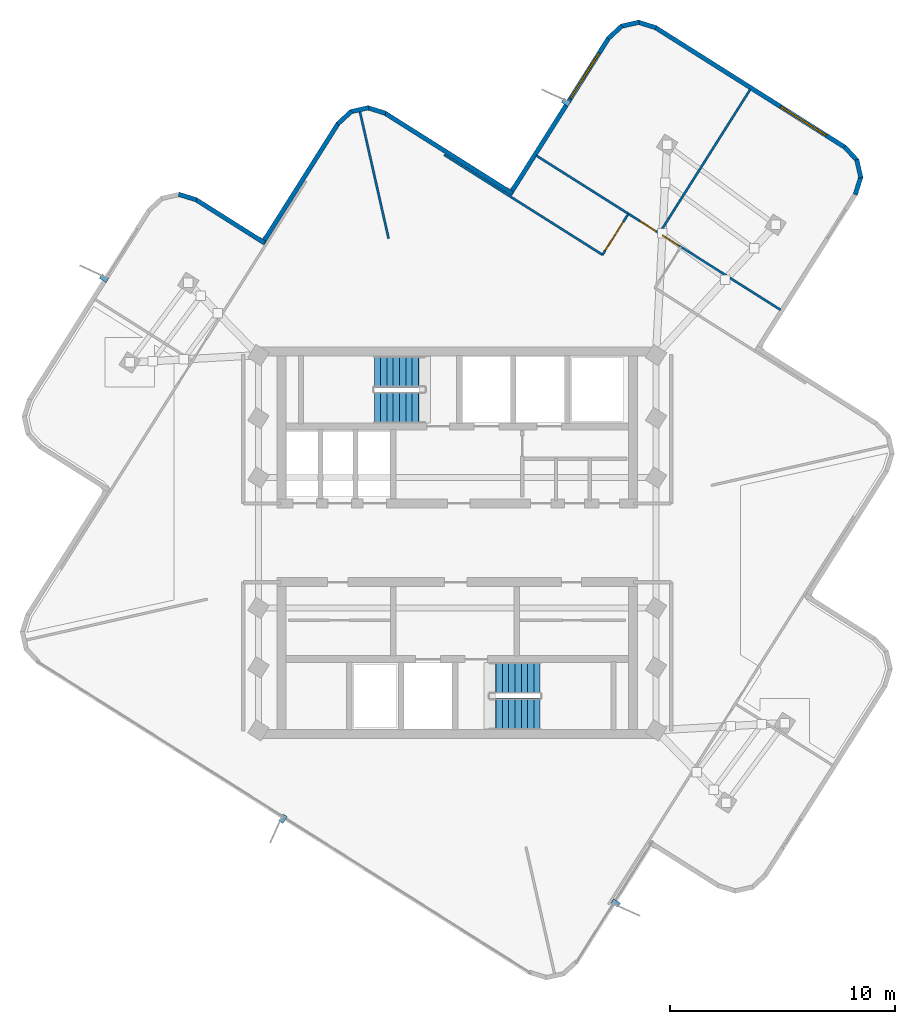
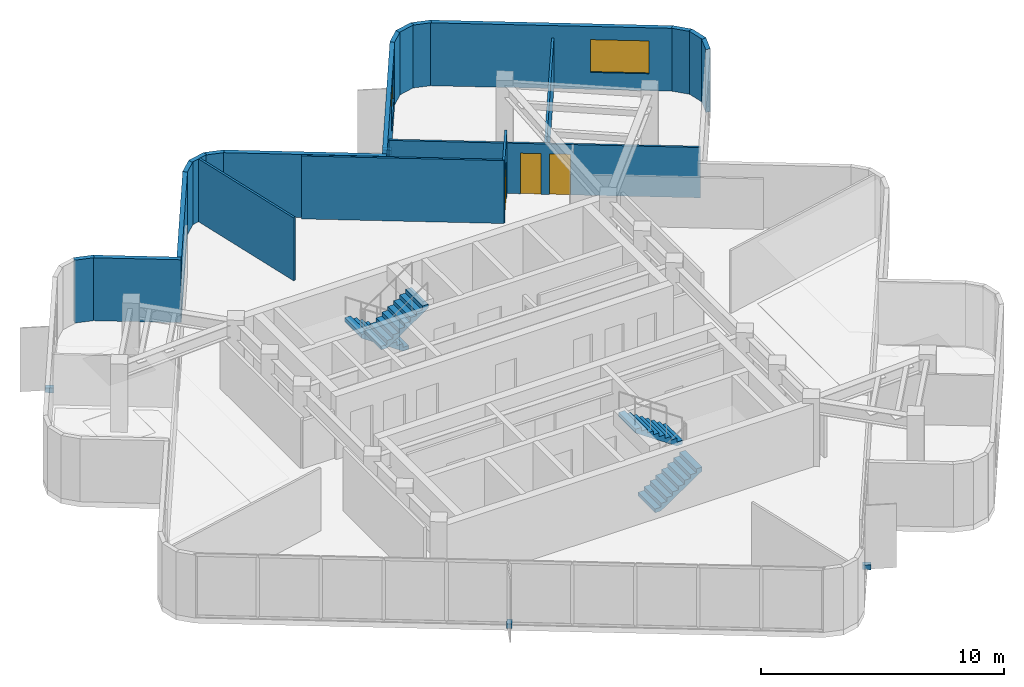
# One storey, part 6 of 8: 20 walls, 4 discrete accessories, 4 stair flights, 3 doors, 2 windows, 5 openings, 2 elements without a shape of their own.
"""IFC4 building model written with IfcOpenShell, lengths in metres."""

from ifc_helpers import new_model, si_unit, direction, frame, frame_2d, origin, origin_2d, place, context, subcontext, project, spatial, polyline, rectangle, outline, extrude, material, layer, layer_set, type_object, element, fill, aggregate, save


model = new_model("IFC4")

# Units and contexts
model_context = context("Model", 3, precision=1e-05, world=origin(), true_north=direction((0.0, 1.0)))
body_context = subcontext(model_context, "Body", "Model", "MODEL_VIEW")
ifc_project = project(units=[si_unit("LENGTHUNIT", "METRE"), si_unit("AREAUNIT", "SQUARE_METRE"), si_unit("VOLUMEUNIT", "CUBIC_METRE"), si_unit("PLANEANGLEUNIT", "RADIAN"), si_unit("MASSUNIT", "GRAM", prefix="KILO")], contexts=[model_context])

# Site, building, storey
site_placement = place(None, origin())
site = spatial("IfcSite", under=ifc_project, at=site_placement, CompositionType="ELEMENT")
building_placement = place(site_placement, origin())
building = spatial("IfcBuilding", under=site, at=building_placement, Name="Solmarez Civic Tower", CompositionType="ELEMENT")
storey_placement = place(building_placement, frame((0.0, 0.0, 271.43994140625)))
storey = spatial("IfcBuildingStorey", under=building, at=storey_placement, Name="L73", CompositionType="ELEMENT", Elevation=271.43994140625)

# Walls
ifc_material_1 = material(Name="Precast concrete C40/50", Category="concrete")
ifc_layer_1 = layer(ifc_material_1, 0.199951171875)
ifc_layer_set_1 = layer_set([ifc_layer_1], Name="Precast concrete C40/50")
wall_type_1 = type_object("IfcWallType", Name="WALL-EXT-200", PredefinedType="SOLIDWALL", material=ifc_layer_set_1)
wall_1_placement = place(storey_placement, frame((-12.405029296875, 15.511962890625, 0.0), z_axis=(0.0, 0.0, 1.0), x_axis=(0.95514660916, -0.296133339917, 0.0)))
element("IfcWall", 1, at=wall_1_placement, inside=storey, type_object=wall_type_1, Name="L73 Exterior Precast Wall 20", PredefinedType="SOLIDWALL", context=body_context, shape_type="SweptSolid", body=[
    extrude(rectangle(XDim=0.837646484375, YDim=0.199951171875, at=frame_2d((0.4189453125, 0.0))), origin(), (0.0, 0.0, 1.0), 3.16015625),
])
wall_2_placement = place(storey_placement, frame((-11.64990234375, 15.283935546875, 0.0), z_axis=(0.0, 0.0, 1.0), x_axis=(0.84553031048, -0.533927423962, 0.0)))
element("IfcWall", 2, at=wall_2_placement, inside=storey, type_object=wall_type_1, Name="L73 Exterior Precast Wall 21", PredefinedType="SOLIDWALL", context=body_context, shape_type="SweptSolid", body=[
    extrude(rectangle(XDim=3.642578125, YDim=0.199951171875, at=frame_2d((1.8212890625, 0.0))), origin(), (0.0, 0.0, 1.0), 3.16015625),
])
wall_3_placement = place(storey_placement, frame((-8.680908203125, 13.31396484375, 0.0), z_axis=(0.0, 0.0, 1.0), x_axis=(0.533927810135, 0.845530066623, 0.0)))
element("IfcWall", 3, at=wall_3_placement, inside=storey, type_object=wall_type_1, Name="L73 Exterior Precast Wall 24", PredefinedType="SOLIDWALL", context=body_context, shape_type="SweptSolid", body=[
    extrude(rectangle(XDim=6.341552734375, YDim=0.199951171875, at=frame_2d((3.1708984375, 0.0))), origin(), (0.0, 0.0, 1.0), 3.16015625),
])
wall_4_placement = place(storey_placement, frame((-5.325927734375, 18.637939453125, 0.0), z_axis=(0.0, 0.0, 1.0), x_axis=(0.734546260064, 0.678558613405, 0.0)))
element("IfcWall", 4, at=wall_4_placement, inside=storey, type_object=wall_type_1, Name="L73 Exterior Precast Wall 25", PredefinedType="SOLIDWALL", context=body_context, shape_type="SweptSolid", body=[
    extrude(rectangle(XDim=0.837158203125, YDim=0.199951171875, at=frame_2d((0.41845703125, 0.0))), origin(), (0.0, 0.0, 1.0), 3.16015625),
])
wall_5_placement = place(storey_placement, frame((-4.7529296875, 19.18310546875, 0.0), z_axis=(0.0, 0.0, 1.0), x_axis=(0.975095027757, 0.22178748126, 0.0)))
element("IfcWall", 5, at=wall_5_placement, inside=storey, type_object=wall_type_1, Name="L73 Exterior Precast Wall 26", PredefinedType="SOLIDWALL", context=body_context, shape_type="SweptSolid", body=[
    extrude(rectangle(XDim=0.824462890625, YDim=0.199951171875, at=frame_2d((0.412109375, 0.0))), origin(), (0.0, 0.0, 1.0), 3.16015625),
])
wall_6_placement = place(storey_placement, frame((-3.9970703125, 19.366943359375, 0.0), z_axis=(0.0, 0.0, 1.0), x_axis=(0.955248680357, -0.295803919306, 0.0)))
element("IfcWall", 6, at=wall_6_placement, inside=storey, type_object=wall_type_1, Name="L73 Exterior Precast Wall 27", PredefinedType="SOLIDWALL", context=body_context, shape_type="SweptSolid", body=[
    extrude(rectangle(XDim=0.838623046875, YDim=0.199951171875, at=frame_2d((0.41943359375, 0.0))), origin(), (0.0, 0.0, 1.0), 3.16015625),
])
wall_7_placement = place(storey_placement, frame((-3.240966796875, 19.138916015625, 0.0), z_axis=(0.0, 0.0, 1.0), x_axis=(0.845431246435, -0.534084270085, 0.0)))
element("IfcWall", 7, at=wall_7_placement, inside=storey, type_object=wall_type_1, Name="L73 Exterior Precast Wall 28", PredefinedType="SOLIDWALL", context=body_context, shape_type="SweptSolid", body=[
    extrude(rectangle(XDim=6.741943359375, YDim=0.199951171875, at=frame_2d((3.37109375, 0.0))), origin(), (0.0, 0.0, 1.0), 3.16015625),
])

# Wall, opening, window
wall_8_placement = place(storey_placement, frame((2.347900390625, 15.512939453125, 0.0), z_axis=(0.0, 0.0, 1.0), x_axis=(0.533962901644, 0.845507906331, 0.0)))
wall_8 = element("IfcWall", 8, at=wall_8_placement, inside=storey, type_object=wall_type_1, Name="L73 Exterior Precast Wall 31", PredefinedType="SOLIDWALL", context=body_context, shape_type="SweptSolid", body=[
    extrude(rectangle(XDim=8.242431640625, YDim=0.199951171875, at=frame_2d((4.12109375, 0.0))), origin(), (0.0, 0.0, 1.0), 3.16015625),
])
opening_1_placement = place(wall_8_placement, frame((5.0419921875, 0.0, 0.85009765625)))
opening_1 = element("IfcOpeningElement", 9, at=opening_1_placement, cuts=wall_8, Name="Opening W-06", PredefinedType="OPENING", context=body_context, shape_type="SweptSolid", body=[
    extrude(rectangle(XDim=2.39990234375, YDim=1.85009765625, at=frame_2d((1.199951171875, 0.925048828125))), frame((0.0, 0.10986328125, 0.0), z_axis=(0.0, -1.0, 0.0), x_axis=(1.0, 0.0, 0.0)), (0.0, 0.0, 1.0), 0.219970703125),
])
ifc_material_2 = material(Name="Solar Control Bronze-Tinted Insulating Glass", Category="glass")
window_type_1 = type_object("IfcWindowType", Name="WIN-2400X1850", PartitioningType="SINGLE_PANEL", PredefinedType="WINDOW", material=ifc_material_2)
window_1_placement = place(opening_1_placement, origin())
window_1 = element("IfcWindow", 10, at=window_1_placement, inside=storey, type_object=window_type_1, Name="L73 Exterior Facade Window 31", OverallHeight=1.85009765625, OverallWidth=2.39990234375, PartitioningType="SINGLE_PANEL", PredefinedType="WINDOW", context=body_context, shape_type="SweptSolid", body=[
    extrude(rectangle(XDim=2.39990234375, YDim=1.85009765625, at=frame_2d((1.199951171875, 0.925048828125))), frame((0.0, 0.030029296875, 0.0), z_axis=(0.0, -1.0, 0.0), x_axis=(1.0, 0.0, 0.0)), (0.0, 0.0, 1.0), 0.06005859375),
])
fill(opening_1, window_1)

# Walls
wall_9_placement = place(storey_placement, frame((6.718017578125, 22.444091796875, 0.0), z_axis=(0.0, 0.0, 1.0), x_axis=(0.7346916161, 0.67840123027, 0.0)))
element("IfcWall", 11, at=wall_9_placement, inside=storey, type_object=wall_type_1, Name="L73 Exterior Precast Wall 32", PredefinedType="SOLIDWALL", context=body_context, shape_type="SweptSolid", body=[
    extrude(rectangle(XDim=0.837158203125, YDim=0.199951171875, at=frame_2d((0.41845703125, 0.0))), origin(), (0.0, 0.0, 1.0), 3.16015625),
])
wall_10_placement = place(storey_placement, frame((7.291015625, 22.989013671875, 0.0), z_axis=(0.0, 0.0, 1.0), x_axis=(0.975030953114, 0.222068999343, 0.0)))
element("IfcWall", 12, at=wall_10_placement, inside=storey, type_object=wall_type_1, Name="L73 Exterior Precast Wall 33", PredefinedType="SOLIDWALL", context=body_context, shape_type="SweptSolid", body=[
    extrude(rectangle(XDim=0.824462890625, YDim=0.199951171875, at=frame_2d((0.412109375, 0.0))), origin(), (0.0, 0.0, 1.0), 3.16015625),
])
wall_11_placement = place(storey_placement, frame((8.047119140625, 23.173095703125, 0.0), z_axis=(0.0, 0.0, 1.0), x_axis=(0.955223194498, -0.295886209027, 0.0)))
element("IfcWall", 13, at=wall_11_placement, inside=storey, type_object=wall_type_1, Name="L73 Exterior Precast Wall 34", PredefinedType="SOLIDWALL", context=body_context, shape_type="SweptSolid", body=[
    extrude(rectangle(XDim=0.83837890625, YDim=0.199951171875, at=frame_2d((0.419189453125, 0.0))), origin(), (0.0, 0.0, 1.0), 3.16015625),
])

# Wall, opening, window
wall_12_placement = place(storey_placement, frame((8.802978515625, 22.945068359375, 0.0), z_axis=(0.0, 0.0, 1.0), x_axis=(0.845446069837, -0.534060804588, 0.0)))
wall_12 = element("IfcWall", 14, at=wall_12_placement, inside=storey, type_object=wall_type_1, Name="L73 Exterior Precast Wall 35", PredefinedType="SOLIDWALL", context=body_context, shape_type="SweptSolid", body=[
    extrude(rectangle(XDim=10.023193359375, YDim=0.199951171875, at=frame_2d((5.01171875, 0.0))), origin(), (0.0, 0.0, 1.0), 3.16015625),
])
opening_2_placement = place(wall_12_placement, frame((6.617919921875, 0.0, 0.85009765625)))
opening_2 = element("IfcOpeningElement", 15, at=opening_2_placement, cuts=wall_12, Name="Opening W-10", PredefinedType="OPENING", context=body_context, shape_type="SweptSolid", body=[
    extrude(rectangle(XDim=2.39990234375, YDim=1.64990234375, at=frame_2d((1.199951171875, 0.824951171875))), frame((0.0, 0.10986328125, 0.0), z_axis=(0.0, -1.0, 0.0), x_axis=(1.0, 0.0, 0.0)), (0.0, 0.0, 1.0), 0.219970703125),
])
window_type_2 = type_object("IfcWindowType", Name="WIN-2400X1650", PartitioningType="SINGLE_PANEL", PredefinedType="WINDOW", material=ifc_material_2)
window_2_placement = place(opening_2_placement, origin())
window_2 = element("IfcWindow", 16, at=window_2_placement, inside=storey, type_object=window_type_2, Name="L73 Exterior Facade Window 35", OverallHeight=1.64990234375, OverallWidth=2.39990234375, PartitioningType="SINGLE_PANEL", PredefinedType="WINDOW", context=body_context, shape_type="SweptSolid", body=[
    extrude(rectangle(XDim=2.39990234375, YDim=1.64990234375, at=frame_2d((1.199951171875, 0.824951171875))), frame((0.0, 0.030029296875, 0.0), z_axis=(0.0, -1.0, 0.0), x_axis=(1.0, 0.0, 0.0)), (0.0, 0.0, 1.0), 0.06005859375),
])
fill(opening_2, window_2)

# Walls
wall_13_placement = place(storey_placement, frame((17.239013671875, 17.623046875, 0.0), z_axis=(0.0, 0.0, 1.0), x_axis=(0.679187212508, -0.73396507435, 0.0)))
element("IfcWall", 17, at=wall_13_placement, inside=storey, type_object=wall_type_1, Name="L73 Exterior Precast Wall 36", PredefinedType="SOLIDWALL", context=body_context, shape_type="SweptSolid", body=[
    extrude(rectangle(XDim=0.837890625, YDim=0.199951171875, at=frame_2d((0.4189453125, 0.0))), origin(), (0.0, 0.0, 1.0), 3.16015625),
])
wall_14_placement = place(storey_placement, frame((17.785888671875, 17.050048828125, 0.0), z_axis=(0.0, 0.0, 1.0), x_axis=(0.21868713362, -0.975795028471, 0.0)))
element("IfcWall", 18, at=wall_14_placement, inside=storey, type_object=wall_type_1, Name="L73 Exterior Precast Wall 37", PredefinedType="SOLIDWALL", context=body_context, shape_type="SweptSolid", body=[
    extrude(rectangle(XDim=0.823974609375, YDim=0.199951171875, at=frame_2d((0.412109375, 0.0))), origin(), (0.0, 0.0, 1.0), 3.16015625),
])
wall_15_placement = place(storey_placement, frame((17.968017578125, 16.2939453125, 0.0), z_axis=(0.0, 0.0, 1.0), x_axis=(-0.296133339917, -0.95514660916, 0.0)))
element("IfcWall", 19, at=wall_15_placement, inside=storey, type_object=wall_type_1, Name="L73 Exterior Precast Wall 38", PredefinedType="SOLIDWALL", context=body_context, shape_type="SweptSolid", body=[
    extrude(rectangle(XDim=0.837646484375, YDim=0.199951171875, at=frame_2d((0.4189453125, 0.0))), origin(), (0.0, 0.0, 1.0), 3.16015625),
])
ifc_material_3 = material(Name="Gypsum Board Acoustic Steel-Stud Partition", Category="steel")
ifc_layer_2 = layer(ifc_material_3, 0.10009765625)
ifc_layer_set_2 = layer_set([ifc_layer_2], Name="Gypsum Board Acoustic Steel-Stud Partition")
wall_type_2 = type_object("IfcWallType", Name="WALL-INT-PART-100", PredefinedType="PARTITIONING", material=ifc_layer_set_2)
wall_16_placement = place(storey_placement, frame((-3.055908203125, 13.5400390625, 0.0), z_axis=(0.0, 0.0, 1.0), x_axis=(-0.22033949405, 0.975423245244, 0.0)))
element("IfcWall", 20, at=wall_16_placement, inside=storey, type_object=wall_type_2, Name="L73 Interior Partition PT-L73-QDIV-1", PredefinedType="PARTITIONING", context=body_context, shape_type="SweptSolid", body=[
    extrude(rectangle(XDim=5.813720703125, YDim=0.10009765625, at=frame_2d((2.90673828125, 0.0))), origin(), (0.0, 0.0, 1.0), 3.16015625),
])
wall_17_placement = place(storey_placement, frame((6.472900390625, 12.81298828125, 0.0), z_axis=(0.0, 0.0, 1.0), x_axis=(-0.845447210208, 0.534058999317, 0.0)))
element("IfcWall", 21, at=wall_17_placement, inside=storey, type_object=wall_type_2, Name="L73 Interior Partition PT-L73-E-EFL", PredefinedType="PARTITIONING", context=body_context, shape_type="SweptSolid", body=[
    extrude(rectangle(XDim=8.34912109375, YDim=0.10009765625, at=frame_2d((4.174560546875, 0.0))), origin(), (0.0, 0.0, 1.0), 3.16015625),
])

# Wall, opening, door
wall_18_placement = place(storey_placement, frame((7.618896484375, 14.64501953125, 0.0), z_axis=(0.0, 0.0, 1.0), x_axis=(-0.533984489243, -0.845494272747, 0.0)))
wall_18 = element("IfcWall", 22, at=wall_18_placement, inside=storey, type_object=wall_type_2, Name="L73 Interior Partition PT-L73-E-SL", PredefinedType="PARTITIONING", context=body_context, shape_type="SweptSolid", body=[
    extrude(rectangle(XDim=2.16064453125, YDim=0.10009765625, at=frame_2d((1.080322265625, 0.0))), origin(), (0.0, 0.0, 1.0), 3.16015625),
])
opening_3_placement = place(wall_18_placement, frame((0.44091796875, 0.0, 0.0)))
opening_3 = element("IfcOpeningElement", 23, at=opening_3_placement, cuts=wall_18, Name="Opening D-16", PredefinedType="OPENING", context=body_context, shape_type="SweptSolid", body=[
    extrude(rectangle(XDim=1.5, YDim=2.1201171875, at=frame_2d((0.75, 1.06005859375))), frame((0.0, 0.06005859375, 0.0), z_axis=(0.0, -1.0, 0.0), x_axis=(1.0, 0.0, 0.0)), (0.0, 0.0, 1.0), 0.1201171875),
])
ifc_material_4 = material(Name="Diplomatic Protocol Reception Door", Category="wood")
door_type_1 = type_object("IfcDoorType", Name="DOOR-INT-1500", OperationType="NOTDEFINED", PredefinedType="DOOR", material=ifc_material_4)
door_1_placement = place(opening_3_placement, origin())
door_1 = element("IfcDoor", 24, at=door_1_placement, inside=storey, type_object=door_type_1, Name="L73 Executive Chamber Public Exhibition Library East Door", OperationType="SINGLE_SWING_LEFT", OverallHeight=2.1201171875, OverallWidth=1.5, PredefinedType="DOOR", context=body_context, shape_type="SweptSolid", body=[
    extrude(rectangle(XDim=1.5, YDim=2.1201171875, at=frame_2d((0.75, 1.06005859375))), frame((0.0, 0.02490234375, 0.0), z_axis=(0.0, -1.0, 0.0), x_axis=(1.0, 0.0, 0.0)), (0.0, 0.0, 1.0), 0.050048828125),
])
fill(opening_3, door_1)

# Wall
wall_19_placement = place(storey_placement, frame((9.029052734375, 13.824951171875, 0.0), z_axis=(0.0, 0.0, 1.0), x_axis=(0.534078432884, 0.845434933941, 0.0)))
element("IfcWall", 25, at=wall_19_placement, inside=storey, type_object=wall_type_2, Name="L73 Interior Partition PT-L73-E-TM", PredefinedType="PARTITIONING", context=body_context, shape_type="SweptSolid", body=[
    extrude(rectangle(XDim=7.525146484375, YDim=0.10009765625, at=frame_2d((3.7626953125, 0.0))), origin(), (0.0, 0.0, 1.0), 2.530029296875),
])

# Wall, openings, doors
wall_20_placement = place(storey_placement, frame((3.513916015625, 17.237060546875, 0.0), z_axis=(0.0, 0.0, 1.0), x_axis=(0.845461855996, -0.534035813458, 0.0)))
wall_20 = element("IfcWall", 26, at=wall_20_placement, inside=storey, type_object=wall_type_2, Name="L73 Interior Partition PT-L73-E-END", PredefinedType="PARTITIONING", context=body_context, shape_type="SweptSolid", body=[
    extrude(rectangle(XDim=12.8701171875, YDim=0.10009765625, at=frame_2d((6.43505859375, 0.0))), origin(), (0.0, 0.0, 1.0), 2.530029296875),
])
opening_4_placement = place(wall_20_placement, frame((6.655029296875, 0.0, 0.0)))
opening_4 = element("IfcOpeningElement", 27, at=opening_4_placement, cuts=wall_20, Name="Opening D-14", PredefinedType="OPENING", context=body_context, shape_type="SweptSolid", body=[
    extrude(rectangle(XDim=0.860107421875, YDim=2.0400390625, at=frame_2d((0.43017578125, 1.02001953125))), frame((0.0, 0.06005859375, 0.0), z_axis=(0.0, -1.0, 0.0), x_axis=(1.0, 0.0, 0.0)), (0.0, 0.0, 1.0), 0.1201171875),
])
opening_5_placement = place(wall_20_placement, frame((5.4541015625, 0.0, 0.0)))
opening_5 = element("IfcOpeningElement", 28, at=opening_5_placement, cuts=wall_20, Name="Opening D-14", PredefinedType="OPENING", context=body_context, shape_type="SweptSolid", body=[
    extrude(rectangle(XDim=0.860107421875, YDim=2.0400390625, at=frame_2d((0.43017578125, 1.02001953125))), frame((0.0, 0.06005859375, 0.0), z_axis=(0.0, -1.0, 0.0), x_axis=(1.0, 0.0, 0.0)), (0.0, 0.0, 1.0), 0.1201171875),
])
ifc_material_5 = material(Name="Timber Storage and Pantry Door", Category="wood")
door_type_2 = type_object("IfcDoorType", Name="DOOR-INT-850", OperationType="NOTDEFINED", PredefinedType="DOOR", material=ifc_material_5)
door_2_placement = place(opening_4_placement, origin())
door_2 = element("IfcDoor", 29, at=door_2_placement, inside=storey, type_object=door_type_2, Name="L73 Catering Pantry Sixth East Door", OperationType="SINGLE_SWING_RIGHT", OverallHeight=2.0400390625, OverallWidth=0.860107421875, PredefinedType="DOOR", context=body_context, shape_type="SweptSolid", body=[
    extrude(rectangle(XDim=0.860107421875, YDim=2.0400390625, at=frame_2d((0.43017578125, 1.02001953125))), frame((0.0, 0.02490234375, 0.0), z_axis=(0.0, -1.0, 0.0), x_axis=(1.0, 0.0, 0.0)), (0.0, 0.0, 1.0), 0.050048828125),
])
fill(opening_4, door_2)
door_3_placement = place(opening_5_placement, origin())
door_3 = element("IfcDoor", 30, at=door_3_placement, inside=storey, type_object=door_type_2, Name="L73 Press Study Room Fifth East Door", OperationType="SINGLE_SWING_LEFT", OverallHeight=2.0400390625, OverallWidth=0.860107421875, PredefinedType="DOOR", context=body_context, shape_type="SweptSolid", body=[
    extrude(rectangle(XDim=0.860107421875, YDim=2.0400390625, at=frame_2d((0.43017578125, 1.02001953125))), frame((0.0, 0.02490234375, 0.0), z_axis=(0.0, -1.0, 0.0), x_axis=(1.0, 0.0, 0.0)), (0.0, 0.0, 1.0), 0.050048828125),
])
fill(opening_5, door_3)

# Stair, stair flights
ifc_material_6 = material(Name="Concrete C50/60", Category="concrete")
stair_type = type_object("IfcStairType", Name="STAIR-DOGLEG-140W-18R-1900", PredefinedType="HALF_TURN_STAIR", material=ifc_material_6)
stair_1_placement = place(storey_placement, origin())
stair_1 = element("IfcStair", 31, at=stair_1_placement, inside=storey, type_object=stair_type, Name="L73 North Core Protected Exit Stair ST-1", PredefinedType="HALF_TURN_STAIR")
stair_flight_type = type_object("IfcStairFlightType", Name="FLIGHT-DOGLEG-140W-9R-1900", PredefinedType="STRAIGHT", material=ifc_material_6)
stair_flight_1_placement = place(storey_placement, frame((-1.449951171875, 7.6201171875, 0.0), z_axis=(0.0, 0.0, 1.0), x_axis=(-1.0, 0.0, 0.0)))
stair_flight_1 = element("IfcStairFlight", 32, at=stair_flight_1_placement, type_object=stair_flight_type, Name="ST-1 flight 1", NumberOfRisers=9, NumberOfTreads=8, PredefinedType="STRAIGHT", RiserHeight=0.19, TreadLength=0.28, context=body_context, shape_type="SweptSolid", body=[
    extrude(outline(polyline([(0.0, 0.0), (0.0, 0.18994140625), (0.280029296875, 0.18994140625), (0.280029296875, 0.3798828125), (0.56005859375, 0.3798828125), (0.56005859375, 0.570068359375), (0.840087890625, 0.570068359375), (0.840087890625, 0.760009765625), (1.1201171875, 0.760009765625), (1.1201171875, 0.949951171875), (1.39990234375, 0.949951171875), (1.39990234375, 1.139892578125), (1.679931640625, 1.139892578125), (1.679931640625, 1.330078125), (1.9599609375, 1.330078125), (1.9599609375, 1.52001953125), (2.239990234375, 1.52001953125), (2.239990234375, 1.7099609375), (2.239990234375, 1.32666015625), (0.284912109375, 0.0), (0.0, 0.0)])), frame((0.0, 0.699951171875, 0.0), z_axis=(0.0, -1.0, 0.0), x_axis=(1.0, 0.0, 0.0)), (0.0, 0.0, 1.0), 1.39990234375),
])
stair_flight_2_placement = place(storey_placement, frame((-3.68994140625, 6.02001953125, 1.7099609375), z_axis=(0.0, 0.0, 1.0), x_axis=(1.0, 0.0, 0.0)))
stair_flight_2 = element("IfcStairFlight", 33, at=stair_flight_2_placement, type_object=stair_flight_type, Name="ST-1 flight 2", NumberOfRisers=9, NumberOfTreads=8, PredefinedType="STRAIGHT", RiserHeight=0.19, TreadLength=0.28, context=body_context, shape_type="SweptSolid", body=[
    extrude(outline(polyline([(0.0, 0.0), (0.0, 0.18994140625), (0.280029296875, 0.18994140625), (0.280029296875, 0.3798828125), (0.56005859375, 0.3798828125), (0.56005859375, 0.570068359375), (0.840087890625, 0.570068359375), (0.840087890625, 0.760009765625), (1.1201171875, 0.760009765625), (1.1201171875, 0.949951171875), (1.39990234375, 0.949951171875), (1.39990234375, 1.139892578125), (1.679931640625, 1.139892578125), (1.679931640625, 1.330078125), (1.9599609375, 1.330078125), (1.9599609375, 1.52001953125), (2.239990234375, 1.52001953125), (2.239990234375, 1.7099609375), (2.239990234375, 1.32666015625), (0.284912109375, 0.0), (0.0, 0.0)])), frame((0.0, 0.699951171875, 0.0), z_axis=(0.0, -1.0, 0.0), x_axis=(1.0, 0.0, 0.0)), (0.0, 0.0, 1.0), 1.39990234375),
])
aggregate(stair_1, [stair_flight_1, stair_flight_2])

stair_2_placement = place(storey_placement, origin())
stair_2 = element("IfcStair", 34, at=stair_2_placement, inside=storey, type_object=stair_type, Name="L73 South Core Protected Exit Stair ST-2", PredefinedType="HALF_TURN_STAIR")
stair_flight_3_placement = place(storey_placement, frame((1.449951171875, -7.6201171875, 0.0), z_axis=(0.0, 0.0, 1.0), x_axis=(1.0, 0.0, 0.0)))
stair_flight_3 = element("IfcStairFlight", 35, at=stair_flight_3_placement, type_object=stair_flight_type, Name="ST-2 flight 1", NumberOfRisers=9, NumberOfTreads=8, PredefinedType="STRAIGHT", RiserHeight=0.19, TreadLength=0.28, context=body_context, shape_type="SweptSolid", body=[
    extrude(outline(polyline([(0.0, 0.0), (0.0, 0.18994140625), (0.280029296875, 0.18994140625), (0.280029296875, 0.3798828125), (0.56005859375, 0.3798828125), (0.56005859375, 0.570068359375), (0.840087890625, 0.570068359375), (0.840087890625, 0.760009765625), (1.1201171875, 0.760009765625), (1.1201171875, 0.949951171875), (1.39990234375, 0.949951171875), (1.39990234375, 1.139892578125), (1.679931640625, 1.139892578125), (1.679931640625, 1.330078125), (1.9599609375, 1.330078125), (1.9599609375, 1.52001953125), (2.239990234375, 1.52001953125), (2.239990234375, 1.7099609375), (2.239990234375, 1.32666015625), (0.284912109375, 0.0), (0.0, 0.0)])), frame((0.0, 0.699951171875, 0.0), z_axis=(0.0, -1.0, 0.0), x_axis=(1.0, 0.0, 0.0)), (0.0, 0.0, 1.0), 1.39990234375),
])
stair_flight_4_placement = place(storey_placement, frame((3.68994140625, -6.02001953125, 1.7099609375), z_axis=(0.0, 0.0, 1.0), x_axis=(-1.0, 0.0, 0.0)))
stair_flight_4 = element("IfcStairFlight", 36, at=stair_flight_4_placement, type_object=stair_flight_type, Name="ST-2 flight 2", NumberOfRisers=9, NumberOfTreads=8, PredefinedType="STRAIGHT", RiserHeight=0.19, TreadLength=0.28, context=body_context, shape_type="SweptSolid", body=[
    extrude(outline(polyline([(0.0, 0.0), (0.0, 0.18994140625), (0.280029296875, 0.18994140625), (0.280029296875, 0.3798828125), (0.56005859375, 0.3798828125), (0.56005859375, 0.570068359375), (0.840087890625, 0.570068359375), (0.840087890625, 0.760009765625), (1.1201171875, 0.760009765625), (1.1201171875, 0.949951171875), (1.39990234375, 0.949951171875), (1.39990234375, 1.139892578125), (1.679931640625, 1.139892578125), (1.679931640625, 1.330078125), (1.9599609375, 1.330078125), (1.9599609375, 1.52001953125), (2.239990234375, 1.52001953125), (2.239990234375, 1.7099609375), (2.239990234375, 1.32666015625), (0.284912109375, 0.0), (0.0, 0.0)])), frame((0.0, 0.699951171875, 0.0), z_axis=(0.0, -1.0, 0.0), x_axis=(1.0, 0.0, 0.0)), (0.0, 0.0, 1.0), 1.39990234375),
])
aggregate(stair_2, [stair_flight_3, stair_flight_4])

# Discrete accessories
ifc_material_7 = material(Name="Stainless Steel Grade 1.4401", Category="steel")
discrete_accessory_type = type_object("IfcDiscreteAccessoryType", Name="BRACKET-SS-FIN", PredefinedType="BRACKET", material=ifc_material_7)
for number, where, z_axis, x_axis, name in (
    (37, (7.055908203125, -16.0380859375, -0.06005859375), (0.0, 0.0, 1.0), (0.845511763663, -0.53395679367, 0.0), "L73 Stainless Fin Support Bracket FIN-L73-01"),
    (38, (-7.760009765625, -12.284912109375, -0.06005859375), (0.0, 0.0, 1.0), (-0.534054063322, -0.845450328198, 0.0), "L73 Stainless Fin Support Bracket FIN-L73-02"),
    (39, (-15.721923828125, 11.77197265625, -0.06005859375), (0.0, 0.0, 1.0), (-0.845419803649, 0.534102383067, 0.0), "L73 Stainless Fin Support Bracket FIN-L73-03"),
    (40, (4.839111328125, 19.60693359375, -0.06005859375), (0.0, 0.0, 1.0), (-0.845503503854, 0.533969872719, 0.0), "L73 Stainless Fin Support Bracket FIN-L73-04"),
):
    element("IfcDiscreteAccessory", number, at=place(storey_placement, frame(where, z_axis=z_axis, x_axis=x_axis)), inside=storey, type_object=discrete_accessory_type, Name=name, PredefinedType="BRACKET", context=body_context, shape_type="SweptSolid", body=[
        extrude(rectangle(XDim=0.360107421875, YDim=0.219970703125, at=origin_2d()), origin(), (0.0, 0.0, 1.0), 0.239990234375),
    ])

save(model, "model.ifc")
